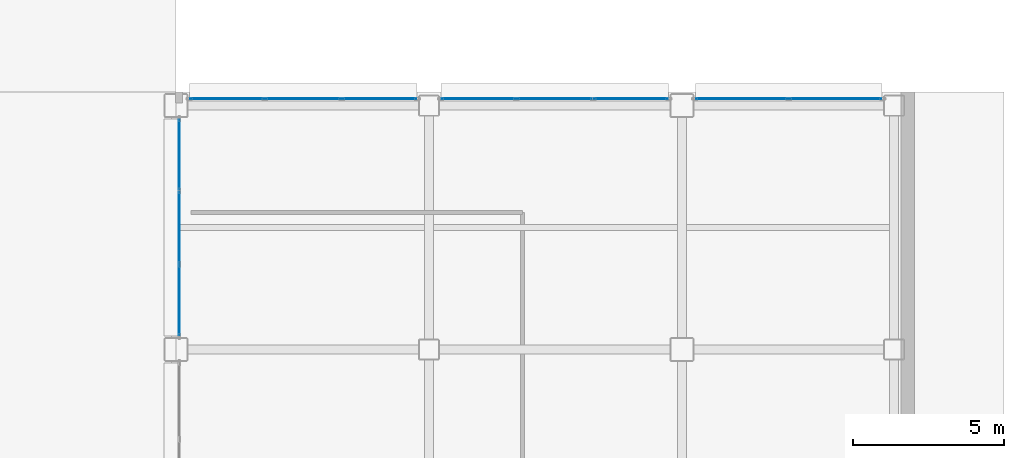
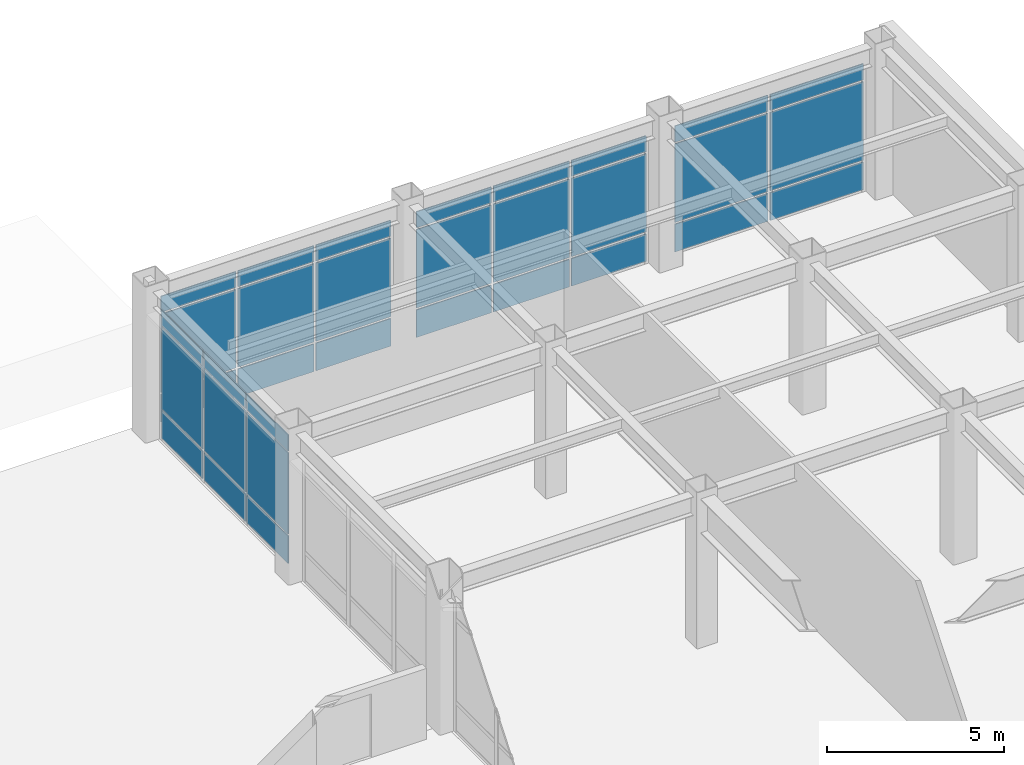
# One storey, part 122 of 165: 33 plates, 4 elements without a shape of their own.
"""IFC4 building model written with IfcOpenShell, lengths in metres."""

from ifc_helpers import new_model, si_unit, direction, frame, origin, origin_2d, place, context, subcontext, project, spatial, rectangle, extrude, material, layer, layer_set, type_object, element, aggregate, save


model = new_model("IFC4")

# Units and contexts
model_context = context("Model", 3, precision=1e-05, world=origin(), true_north=direction((0.0, 1.0)))
body_context = subcontext(model_context, "Body", "Model", "MODEL_VIEW")
ifc_project = project(units=[si_unit("LENGTHUNIT", "METRE"), si_unit("AREAUNIT", "SQUARE_METRE"), si_unit("VOLUMEUNIT", "CUBIC_METRE"), si_unit("PLANEANGLEUNIT", "RADIAN"), si_unit("MASSUNIT", "GRAM", prefix="KILO")], contexts=[model_context])

# Site, building, storey
site_placement = place(None, origin())
site = spatial("IfcSite", under=ifc_project, at=site_placement, CompositionType="ELEMENT")
building_placement = place(site_placement, origin())
building = spatial("IfcBuilding", under=site, at=building_placement, Name="Kazehara Bluff Congress Hotel", CompositionType="ELEMENT")
storey_placement = place(building_placement, origin())
storey = spatial("IfcBuildingStorey", under=building, at=storey_placement, Name="L00", CompositionType="ELEMENT", Elevation=0.0)

# Curtain wall, plates
ifc_material_1 = material(Name="Anodised aluminium", Category="aluminium")
ifc_layer_1 = layer(ifc_material_1, 0.159912109375)
ifc_layer_set_1 = layer_set([ifc_layer_1], Name="Anodised aluminium")
curtain_wall_type_1 = type_object("IfcCurtainWallType", Name="TP-CW-19", PredefinedType="NOTDEFINED", material=ifc_layer_set_1)
curtain_wall_1_placement = place(storey_placement, origin())
curtain_wall_1 = element("IfcCurtainWall", 1, at=curtain_wall_1_placement, inside=storey, type_object=curtain_wall_type_1, Name="L00 curtain wall CW-19 CW-ENC-V5-L00-14793-11378", PredefinedType="NOTDEFINED")
ifc_material_2 = material(Name="Insulated low-E double glazing", Category="glass")
ifc_layer_2 = layer(ifc_material_2, 0.031982421875)
ifc_layer_set_2 = layer_set([ifc_layer_2], Name="Insulated low-E double glazing")
plate_type = type_object("IfcPlateType", Name="TP-CWP-02", PredefinedType="CURTAIN_PANEL", material=ifc_layer_set_2)
plate_1_placement = place(storey_placement, frame((145.392578125, 113.780029296875, 0.06494140625), z_axis=(0.0, 0.0, 1.0), x_axis=(1.0, 0.0, 0.0)))
plate_1 = element("IfcPlate", 2, at=plate_1_placement, type_object=plate_type, Name="CW-19 panel 1.1", PredefinedType="CURTAIN_PANEL", context=body_context, shape_type="SweptSolid", body=[
    extrude(rectangle(XDim=2.445068359375, YDim=0.031982421875, at=origin_2d()), origin(), (0.0, 0.0, 1.0), 0.952392578125),
])
plate_2_placement = place(storey_placement, frame((145.392578125, 113.780029296875, 1.08251953125), z_axis=(0.0, 0.0, 1.0), x_axis=(1.0, 0.0, 0.0)))
plate_2 = element("IfcPlate", 3, at=plate_2_placement, type_object=plate_type, Name="CW-19 panel 1.2", PredefinedType="CURTAIN_PANEL", context=body_context, shape_type="SweptSolid", body=[
    extrude(rectangle(XDim=2.445068359375, YDim=0.031982421875, at=origin_2d()), origin(), (0.0, 0.0, 1.0), 2.7099609375),
])
plate_3_placement = place(storey_placement, frame((145.392578125, 113.780029296875, 3.857421875), z_axis=(0.0, 0.0, 1.0), x_axis=(1.0, 0.0, 0.0)))
plate_3 = element("IfcPlate", 4, at=plate_3_placement, type_object=plate_type, Name="CW-19 panel 1.3", PredefinedType="CURTAIN_PANEL", context=body_context, shape_type="SweptSolid", body=[
    extrude(rectangle(XDim=2.445068359375, YDim=0.031982421875, at=origin_2d()), origin(), (0.0, 0.0, 1.0), 0.552490234375),
])
plate_4_placement = place(storey_placement, frame((147.925048828125, 113.780029296875, 0.06494140625), z_axis=(0.0, 0.0, 1.0), x_axis=(1.0, 0.0, 0.0)))
plate_4 = element("IfcPlate", 5, at=plate_4_placement, type_object=plate_type, Name="CW-19 panel 2.1", PredefinedType="CURTAIN_PANEL", context=body_context, shape_type="SweptSolid", body=[
    extrude(rectangle(XDim=2.47998046875, YDim=0.031982421875, at=origin_2d()), origin(), (0.0, 0.0, 1.0), 0.952392578125),
])
plate_5_placement = place(storey_placement, frame((147.925048828125, 113.780029296875, 1.08251953125), z_axis=(0.0, 0.0, 1.0), x_axis=(1.0, 0.0, 0.0)))
plate_5 = element("IfcPlate", 6, at=plate_5_placement, type_object=plate_type, Name="CW-19 panel 2.2", PredefinedType="CURTAIN_PANEL", context=body_context, shape_type="SweptSolid", body=[
    extrude(rectangle(XDim=2.47998046875, YDim=0.031982421875, at=origin_2d()), origin(), (0.0, 0.0, 1.0), 2.7099609375),
])
plate_6_placement = place(storey_placement, frame((147.925048828125, 113.780029296875, 3.857421875), z_axis=(0.0, 0.0, 1.0), x_axis=(1.0, 0.0, 0.0)))
plate_6 = element("IfcPlate", 7, at=plate_6_placement, type_object=plate_type, Name="CW-19 panel 2.3", PredefinedType="CURTAIN_PANEL", context=body_context, shape_type="SweptSolid", body=[
    extrude(rectangle(XDim=2.47998046875, YDim=0.031982421875, at=origin_2d()), origin(), (0.0, 0.0, 1.0), 0.552490234375),
])
plate_7_placement = place(storey_placement, frame((150.45751953125, 113.780029296875, 0.06494140625), z_axis=(0.0, 0.0, 1.0), x_axis=(1.0, 0.0, 0.0)))
plate_7 = element("IfcPlate", 8, at=plate_7_placement, type_object=plate_type, Name="CW-19 panel 3.1", PredefinedType="CURTAIN_PANEL", context=body_context, shape_type="SweptSolid", body=[
    extrude(rectangle(XDim=2.445068359375, YDim=0.031982421875, at=origin_2d()), origin(), (0.0, 0.0, 1.0), 0.952392578125),
])
plate_8_placement = place(storey_placement, frame((150.45751953125, 113.780029296875, 1.08251953125), z_axis=(0.0, 0.0, 1.0), x_axis=(1.0, 0.0, 0.0)))
plate_8 = element("IfcPlate", 9, at=plate_8_placement, type_object=plate_type, Name="CW-19 panel 3.2", PredefinedType="CURTAIN_PANEL", context=body_context, shape_type="SweptSolid", body=[
    extrude(rectangle(XDim=2.445068359375, YDim=0.031982421875, at=origin_2d()), origin(), (0.0, 0.0, 1.0), 2.7099609375),
])
plate_9_placement = place(storey_placement, frame((150.45751953125, 113.780029296875, 3.857421875), z_axis=(0.0, 0.0, 1.0), x_axis=(1.0, 0.0, 0.0)))
plate_9 = element("IfcPlate", 10, at=plate_9_placement, type_object=plate_type, Name="CW-19 panel 3.3", PredefinedType="CURTAIN_PANEL", context=body_context, shape_type="SweptSolid", body=[
    extrude(rectangle(XDim=2.445068359375, YDim=0.031982421875, at=origin_2d()), origin(), (0.0, 0.0, 1.0), 0.552490234375),
])
aggregate(curtain_wall_1, [plate_1, plate_2, plate_3, plate_4, plate_5, plate_6, plate_7, plate_8, plate_9])

curtain_wall_2_placement = place(storey_placement, origin())
curtain_wall_2 = element("IfcCurtainWall", 11, at=curtain_wall_2_placement, inside=storey, type_object=curtain_wall_type_1, Name="L00 curtain wall CW-19 CW-ENC-V5-L00-15627-11378", PredefinedType="NOTDEFINED")
plate_10_placement = place(storey_placement, frame((153.742431640625, 113.780029296875, 0.06494140625), z_axis=(0.0, 0.0, 1.0), x_axis=(1.0, 0.0, 0.0)))
plate_10 = element("IfcPlate", 12, at=plate_10_placement, type_object=plate_type, Name="CW-19 panel 1.1", PredefinedType="CURTAIN_PANEL", context=body_context, shape_type="SweptSolid", body=[
    extrude(rectangle(XDim=2.445068359375, YDim=0.031982421875, at=origin_2d()), origin(), (0.0, 0.0, 1.0), 0.952392578125),
])
plate_11_placement = place(storey_placement, frame((153.742431640625, 113.780029296875, 1.08251953125), z_axis=(0.0, 0.0, 1.0), x_axis=(1.0, 0.0, 0.0)))
plate_11 = element("IfcPlate", 13, at=plate_11_placement, type_object=plate_type, Name="CW-19 panel 1.2", PredefinedType="CURTAIN_PANEL", context=body_context, shape_type="SweptSolid", body=[
    extrude(rectangle(XDim=2.445068359375, YDim=0.031982421875, at=origin_2d()), origin(), (0.0, 0.0, 1.0), 2.7099609375),
])
plate_12_placement = place(storey_placement, frame((153.742431640625, 113.780029296875, 3.857421875), z_axis=(0.0, 0.0, 1.0), x_axis=(1.0, 0.0, 0.0)))
plate_12 = element("IfcPlate", 14, at=plate_12_placement, type_object=plate_type, Name="CW-19 panel 1.3", PredefinedType="CURTAIN_PANEL", context=body_context, shape_type="SweptSolid", body=[
    extrude(rectangle(XDim=2.445068359375, YDim=0.031982421875, at=origin_2d()), origin(), (0.0, 0.0, 1.0), 0.552490234375),
])
plate_13_placement = place(storey_placement, frame((156.27490234375, 113.780029296875, 0.06494140625), z_axis=(0.0, 0.0, 1.0), x_axis=(1.0, 0.0, 0.0)))
plate_13 = element("IfcPlate", 15, at=plate_13_placement, type_object=plate_type, Name="CW-19 panel 2.1", PredefinedType="CURTAIN_PANEL", context=body_context, shape_type="SweptSolid", body=[
    extrude(rectangle(XDim=2.47998046875, YDim=0.031982421875, at=origin_2d()), origin(), (0.0, 0.0, 1.0), 0.952392578125),
])
plate_14_placement = place(storey_placement, frame((156.27490234375, 113.780029296875, 1.08251953125), z_axis=(0.0, 0.0, 1.0), x_axis=(1.0, 0.0, 0.0)))
plate_14 = element("IfcPlate", 16, at=plate_14_placement, type_object=plate_type, Name="CW-19 panel 2.2", PredefinedType="CURTAIN_PANEL", context=body_context, shape_type="SweptSolid", body=[
    extrude(rectangle(XDim=2.47998046875, YDim=0.031982421875, at=origin_2d()), origin(), (0.0, 0.0, 1.0), 2.7099609375),
])
plate_15_placement = place(storey_placement, frame((156.27490234375, 113.780029296875, 3.857421875), z_axis=(0.0, 0.0, 1.0), x_axis=(1.0, 0.0, 0.0)))
plate_15 = element("IfcPlate", 17, at=plate_15_placement, type_object=plate_type, Name="CW-19 panel 2.3", PredefinedType="CURTAIN_PANEL", context=body_context, shape_type="SweptSolid", body=[
    extrude(rectangle(XDim=2.47998046875, YDim=0.031982421875, at=origin_2d()), origin(), (0.0, 0.0, 1.0), 0.552490234375),
])
plate_16_placement = place(storey_placement, frame((158.8076171875, 113.780029296875, 0.06494140625), z_axis=(0.0, 0.0, 1.0), x_axis=(1.0, 0.0, 0.0)))
plate_16 = element("IfcPlate", 18, at=plate_16_placement, type_object=plate_type, Name="CW-19 panel 3.1", PredefinedType="CURTAIN_PANEL", context=body_context, shape_type="SweptSolid", body=[
    extrude(rectangle(XDim=2.445068359375, YDim=0.031982421875, at=origin_2d()), origin(), (0.0, 0.0, 1.0), 0.952392578125),
])
plate_17_placement = place(storey_placement, frame((158.8076171875, 113.780029296875, 1.08251953125), z_axis=(0.0, 0.0, 1.0), x_axis=(1.0, 0.0, 0.0)))
plate_17 = element("IfcPlate", 19, at=plate_17_placement, type_object=plate_type, Name="CW-19 panel 3.2", PredefinedType="CURTAIN_PANEL", context=body_context, shape_type="SweptSolid", body=[
    extrude(rectangle(XDim=2.445068359375, YDim=0.031982421875, at=origin_2d()), origin(), (0.0, 0.0, 1.0), 2.7099609375),
])
plate_18_placement = place(storey_placement, frame((158.8076171875, 113.780029296875, 3.857421875), z_axis=(0.0, 0.0, 1.0), x_axis=(1.0, 0.0, 0.0)))
plate_18 = element("IfcPlate", 20, at=plate_18_placement, type_object=plate_type, Name="CW-19 panel 3.3", PredefinedType="CURTAIN_PANEL", context=body_context, shape_type="SweptSolid", body=[
    extrude(rectangle(XDim=2.445068359375, YDim=0.031982421875, at=origin_2d()), origin(), (0.0, 0.0, 1.0), 0.552490234375),
])
aggregate(curtain_wall_2, [plate_10, plate_11, plate_12, plate_13, plate_14, plate_15, plate_16, plate_17, plate_18])

ifc_material_3 = material(Name="Anodised aluminium", Category="aluminium")
ifc_layer_3 = layer(ifc_material_3, 0.159912109375)
ifc_layer_set_3 = layer_set([ifc_layer_3], Name="Anodised aluminium")
curtain_wall_type_2 = type_object("IfcCurtainWallType", Name="TP-CW-99", PredefinedType="NOTDEFINED", material=ifc_layer_set_3)
curtain_wall_3_placement = place(storey_placement, origin())
curtain_wall_3 = element("IfcCurtainWall", 21, at=curtain_wall_3_placement, inside=storey, type_object=curtain_wall_type_2, Name="L00 curtain wall CW-99 CW-ENC-V5-L00-16405-11378", PredefinedType="NOTDEFINED")
plate_19_placement = place(storey_placement, frame((162.492431640625, 113.780029296875, 0.06005859375), z_axis=(0.0, 0.0, 1.0), x_axis=(1.0, 0.0, 0.0)))
plate_19 = element("IfcPlate", 22, at=plate_19_placement, type_object=plate_type, Name="CW-99 panel 1.1", PredefinedType="CURTAIN_PANEL", context=body_context, shape_type="SweptSolid", body=[
    extrude(rectangle(XDim=3.044921875, YDim=0.031982421875, at=origin_2d()), origin(), (0.0, 0.0, 1.0), 0.9599609375),
])
plate_20_placement = place(storey_placement, frame((162.492431640625, 113.780029296875, 1.080078125), z_axis=(0.0, 0.0, 1.0), x_axis=(1.0, 0.0, 0.0)))
plate_20 = element("IfcPlate", 23, at=plate_20_placement, type_object=plate_type, Name="CW-99 panel 1.2", PredefinedType="CURTAIN_PANEL", context=body_context, shape_type="SweptSolid", body=[
    extrude(rectangle(XDim=3.044921875, YDim=0.031982421875, at=origin_2d()), origin(), (0.0, 0.0, 1.0), 2.715087890625),
])
plate_21_placement = place(storey_placement, frame((162.492431640625, 113.780029296875, 3.85498046875), z_axis=(0.0, 0.0, 1.0), x_axis=(1.0, 0.0, 0.0)))
plate_21 = element("IfcPlate", 24, at=plate_21_placement, type_object=plate_type, Name="CW-99 panel 1.3", PredefinedType="CURTAIN_PANEL", context=body_context, shape_type="SweptSolid", body=[
    extrude(rectangle(XDim=3.044921875, YDim=0.031982421875, at=origin_2d()), origin(), (0.0, 0.0, 1.0), 0.56005859375),
])
plate_22_placement = place(storey_placement, frame((165.607421875, 113.780029296875, 0.06005859375), z_axis=(0.0, 0.0, 1.0), x_axis=(1.0, 0.0, 0.0)))
plate_22 = element("IfcPlate", 25, at=plate_22_placement, type_object=plate_type, Name="CW-99 panel 2.1", PredefinedType="CURTAIN_PANEL", context=body_context, shape_type="SweptSolid", body=[
    extrude(rectangle(XDim=3.044921875, YDim=0.031982421875, at=origin_2d()), origin(), (0.0, 0.0, 1.0), 0.9599609375),
])
plate_23_placement = place(storey_placement, frame((165.607421875, 113.780029296875, 1.080078125), z_axis=(0.0, 0.0, 1.0), x_axis=(1.0, 0.0, 0.0)))
plate_23 = element("IfcPlate", 26, at=plate_23_placement, type_object=plate_type, Name="CW-99 panel 2.2", PredefinedType="CURTAIN_PANEL", context=body_context, shape_type="SweptSolid", body=[
    extrude(rectangle(XDim=3.044921875, YDim=0.031982421875, at=origin_2d()), origin(), (0.0, 0.0, 1.0), 2.715087890625),
])
plate_24_placement = place(storey_placement, frame((165.607421875, 113.780029296875, 3.85498046875), z_axis=(0.0, 0.0, 1.0), x_axis=(1.0, 0.0, 0.0)))
plate_24 = element("IfcPlate", 27, at=plate_24_placement, type_object=plate_type, Name="CW-99 panel 2.3", PredefinedType="CURTAIN_PANEL", context=body_context, shape_type="SweptSolid", body=[
    extrude(rectangle(XDim=3.044921875, YDim=0.031982421875, at=origin_2d()), origin(), (0.0, 0.0, 1.0), 0.56005859375),
])
aggregate(curtain_wall_3, [plate_19, plate_20, plate_21, plate_22, plate_23, plate_24])

ifc_material_4 = material(Name="Anodised aluminium", Category="aluminium")
ifc_layer_4 = layer(ifc_material_4, 0.159912109375)
ifc_layer_set_4 = layer_set([ifc_layer_4], Name="Anodised aluminium")
curtain_wall_type_3 = type_object("IfcCurtainWallType", Name="TP-CW-106", PredefinedType="NOTDEFINED", material=ifc_layer_set_4)
curtain_wall_4_placement = place(storey_placement, origin())
curtain_wall_4 = element("IfcCurtainWall", 28, at=curtain_wall_4_placement, inside=storey, type_object=curtain_wall_type_3, Name="L00 curtain wall CW-106 CW-ENC-V5-L00-14380-10950", PredefinedType="NOTDEFINED")
plate_25_placement = place(storey_placement, frame((143.800048828125, 107.084228515625, 0.06494140625), z_axis=(0.0, 0.0, 1.0), x_axis=(0.0, 1.0, 0.0)))
plate_25 = element("IfcPlate", 29, at=plate_25_placement, type_object=plate_type, Name="CW-106 panel 1.1", PredefinedType="CURTAIN_PANEL", context=body_context, shape_type="SweptSolid", body=[
    extrude(rectangle(XDim=2.328369140625, YDim=0.031982421875, at=origin_2d()), origin(), (0.0, 0.0, 1.0), 0.952392578125),
])
plate_26_placement = place(storey_placement, frame((143.800048828125, 107.084228515625, 1.08251953125), z_axis=(0.0, 0.0, 1.0), x_axis=(0.0, 1.0, 0.0)))
plate_26 = element("IfcPlate", 30, at=plate_26_placement, type_object=plate_type, Name="CW-106 panel 1.2", PredefinedType="CURTAIN_PANEL", context=body_context, shape_type="SweptSolid", body=[
    extrude(rectangle(XDim=2.328369140625, YDim=0.031982421875, at=origin_2d()), origin(), (0.0, 0.0, 1.0), 2.81005859375),
])
plate_27_placement = place(storey_placement, frame((143.800048828125, 107.084228515625, 3.95751953125), z_axis=(0.0, 0.0, 1.0), x_axis=(0.0, 1.0, 0.0)))
plate_27 = element("IfcPlate", 31, at=plate_27_placement, type_object=plate_type, Name="CW-106 panel 1.3", PredefinedType="CURTAIN_PANEL", context=body_context, shape_type="SweptSolid", body=[
    extrude(rectangle(XDim=2.328369140625, YDim=0.031982421875, at=origin_2d()), origin(), (0.0, 0.0, 1.0), 0.552490234375),
])
plate_28_placement = place(storey_placement, frame((143.800048828125, 109.5, 0.06494140625), z_axis=(0.0, 0.0, 1.0), x_axis=(0.0, 1.0, 0.0)))
plate_28 = element("IfcPlate", 32, at=plate_28_placement, type_object=plate_type, Name="CW-106 panel 2.1", PredefinedType="CURTAIN_PANEL", context=body_context, shape_type="SweptSolid", body=[
    extrude(rectangle(XDim=2.36328125, YDim=0.031982421875, at=origin_2d()), origin(), (0.0, 0.0, 1.0), 0.952392578125),
])
plate_29_placement = place(storey_placement, frame((143.800048828125, 109.5, 1.08251953125), z_axis=(0.0, 0.0, 1.0), x_axis=(0.0, 1.0, 0.0)))
plate_29 = element("IfcPlate", 33, at=plate_29_placement, type_object=plate_type, Name="CW-106 panel 2.2", PredefinedType="CURTAIN_PANEL", context=body_context, shape_type="SweptSolid", body=[
    extrude(rectangle(XDim=2.36328125, YDim=0.031982421875, at=origin_2d()), origin(), (0.0, 0.0, 1.0), 2.81005859375),
])
plate_30_placement = place(storey_placement, frame((143.800048828125, 109.5, 3.95751953125), z_axis=(0.0, 0.0, 1.0), x_axis=(0.0, 1.0, 0.0)))
plate_30 = element("IfcPlate", 34, at=plate_30_placement, type_object=plate_type, Name="CW-106 panel 2.3", PredefinedType="CURTAIN_PANEL", context=body_context, shape_type="SweptSolid", body=[
    extrude(rectangle(XDim=2.36328125, YDim=0.031982421875, at=origin_2d()), origin(), (0.0, 0.0, 1.0), 0.552490234375),
])
plate_31_placement = place(storey_placement, frame((143.800048828125, 111.915771484375, 0.06494140625), z_axis=(0.0, 0.0, 1.0), x_axis=(0.0, 1.0, 0.0)))
plate_31 = element("IfcPlate", 35, at=plate_31_placement, type_object=plate_type, Name="CW-106 panel 3.1", PredefinedType="CURTAIN_PANEL", context=body_context, shape_type="SweptSolid", body=[
    extrude(rectangle(XDim=2.328369140625, YDim=0.031982421875, at=origin_2d()), origin(), (0.0, 0.0, 1.0), 0.952392578125),
])
plate_32_placement = place(storey_placement, frame((143.800048828125, 111.915771484375, 1.08251953125), z_axis=(0.0, 0.0, 1.0), x_axis=(0.0, 1.0, 0.0)))
plate_32 = element("IfcPlate", 36, at=plate_32_placement, type_object=plate_type, Name="CW-106 panel 3.2", PredefinedType="CURTAIN_PANEL", context=body_context, shape_type="SweptSolid", body=[
    extrude(rectangle(XDim=2.328369140625, YDim=0.031982421875, at=origin_2d()), origin(), (0.0, 0.0, 1.0), 2.81005859375),
])
plate_33_placement = place(storey_placement, frame((143.800048828125, 111.915771484375, 3.95751953125), z_axis=(0.0, 0.0, 1.0), x_axis=(0.0, 1.0, 0.0)))
plate_33 = element("IfcPlate", 37, at=plate_33_placement, type_object=plate_type, Name="CW-106 panel 3.3", PredefinedType="CURTAIN_PANEL", context=body_context, shape_type="SweptSolid", body=[
    extrude(rectangle(XDim=2.328369140625, YDim=0.031982421875, at=origin_2d()), origin(), (0.0, 0.0, 1.0), 0.552490234375),
])
aggregate(curtain_wall_4, [plate_25, plate_26, plate_27, plate_28, plate_29, plate_30, plate_31, plate_32, plate_33])

save(model, "model.ifc")
